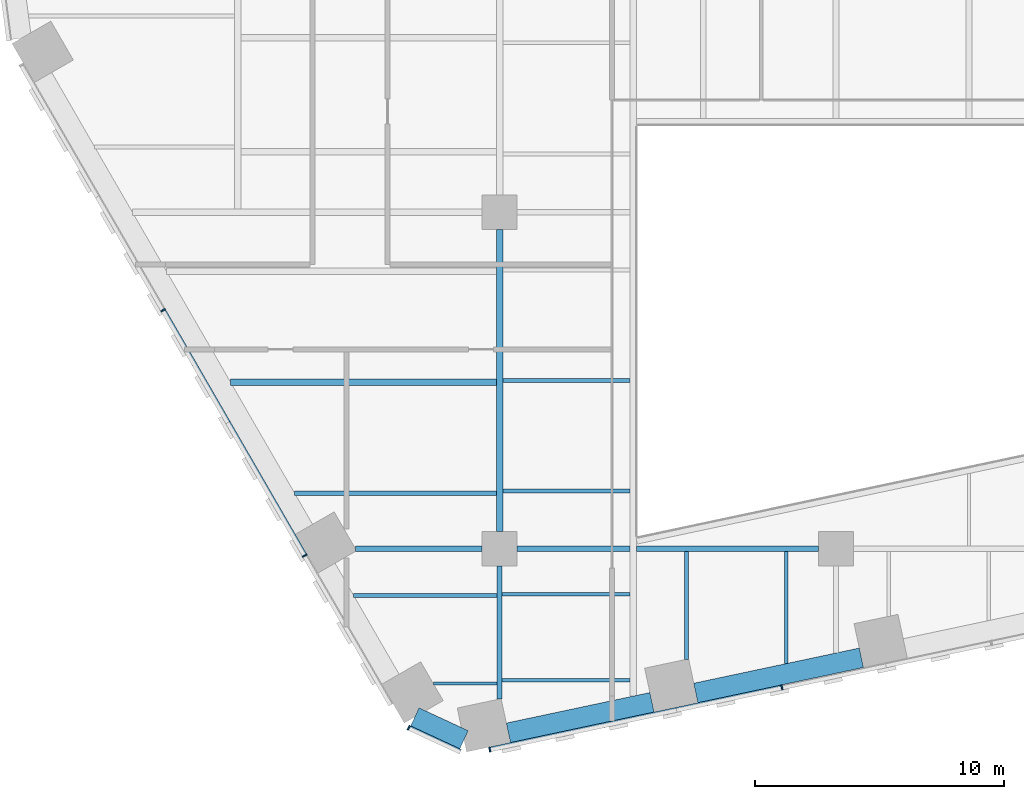
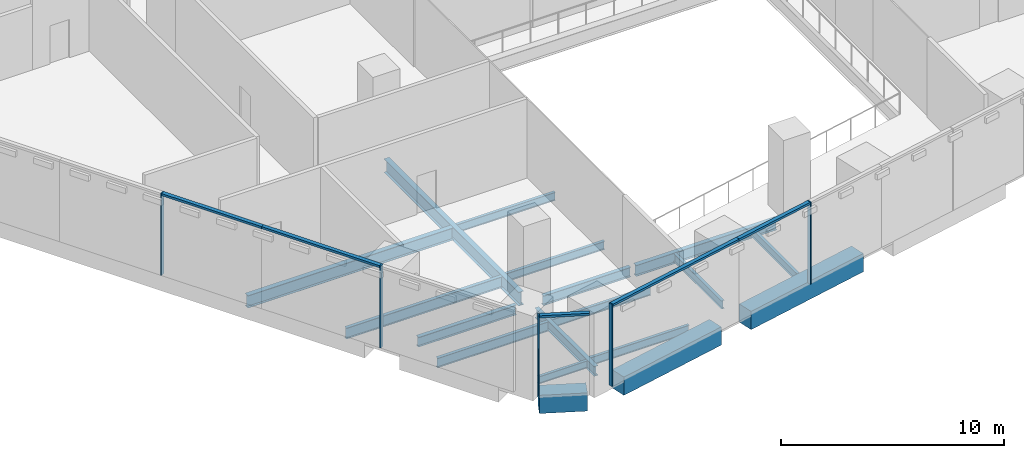
# One storey, part 2 of 19: 18 beams, 10 members, 3 elements without a shape of their own.
"""IFC4 building model written with IfcOpenShell, lengths in metres."""

from ifc_helpers import new_model, si_unit, direction, frame, origin, origin_2d, place, context, subcontext, project, spatial, rectangle, i_section, extrude, material, layer, layer_set, material_profile, profile_set, type_object, element, aggregate, save


model = new_model("IFC4")

# Units and contexts
model_context = context("Model", 3, precision=1e-05, world=origin(), true_north=direction((0.0, 1.0)))
body_context = subcontext(model_context, "Body", "Model", "MODEL_VIEW")
ifc_project = project(units=[si_unit("LENGTHUNIT", "METRE"), si_unit("AREAUNIT", "SQUARE_METRE"), si_unit("VOLUMEUNIT", "CUBIC_METRE"), si_unit("PLANEANGLEUNIT", "RADIAN"), si_unit("MASSUNIT", "GRAM", prefix="KILO")], contexts=[model_context])

# Site, building, storey
site_placement = place(None, origin())
site = spatial("IfcSite", under=ifc_project, at=site_placement, CompositionType="ELEMENT")
building_placement = place(site_placement, origin())
building = spatial("IfcBuilding", under=site, at=building_placement, Name="Isthmus Gate Tower", CompositionType="ELEMENT")
storey_placement = place(building_placement, frame((0.0, 0.0, 76.14990234375)))
storey = spatial("IfcBuildingStorey", under=building, at=storey_placement, Name="L17", CompositionType="ELEMENT", Elevation=76.14990234375)

# Curtain wall, members
ifc_material_1 = material(Name="Aluminium, pale champagne anodised", Category="aluminium")
ifc_layer = layer(ifc_material_1, 0.199951171875)
ifc_layer_set = layer_set([ifc_layer], Name="CW-2 LOUVRE CURTAIN WALL 200 DEEP")
curtain_wall_type = type_object("IfcCurtainWallType", Name="CW-2 LOUVRE CURTAIN WALL 200 DEEP", PredefinedType="NOTDEFINED", material=ifc_layer_set)
curtain_wall_1_placement = place(storey_placement, origin())
curtain_wall_1 = element("IfcCurtainWall", 1, at=curtain_wall_1_placement, inside=storey, type_object=curtain_wall_type, Name="CW-2 SW L17", PredefinedType="NOTDEFINED")
ifc_material_2 = material(Name="Aluminium, pale champagne anodised", Category="aluminium")
ifc_material_profile_1 = material_profile(ifc_material_2, rectangle(XDim=0.06005859375, YDim=0.199951171875, at=origin_2d()), Name="60x200")
ifc_profile_set_1 = profile_set([ifc_material_profile_1], Name="Aluminium, pale champagne anodised")
member_type_1 = type_object("IfcMemberType", Name="CW-2 MULLION 60 X 200", PredefinedType="MULLION", material=ifc_profile_set_1)
member_1_placement = place(storey_placement, frame((-27.001708984375, -17.431640625, 0.0), z_axis=(0.0, 0.0, 1.0), x_axis=(0.5, -0.866025403784, 0.0)))
member_1 = element("IfcMember", 2, at=member_1_placement, type_object=member_type_1, Name="CW-2 mullion", PredefinedType="MULLION", context=body_context, shape_type="SweptSolid", body=[
    extrude(rectangle(XDim=0.06005859375, YDim=0.199951171875, at=origin_2d()), origin(), (0.0, 0.0, 1.0), 4.5),
])
member_2_placement = place(storey_placement, frame((-21.318115234375, -27.27587890625, 0.0), z_axis=(0.0, 0.0, 1.0), x_axis=(0.5, -0.866025403784, 0.0)))
member_2 = element("IfcMember", 3, at=member_2_placement, type_object=member_type_1, Name="CW-2 mullion", PredefinedType="MULLION", context=body_context, shape_type="SweptSolid", body=[
    extrude(rectangle(XDim=0.06005859375, YDim=0.199951171875, at=origin_2d()), origin(), (0.0, 0.0, 1.0), 4.5),
])

# Curtain wall, member
curtain_wall_2_placement = place(storey_placement, origin())
curtain_wall_2 = element("IfcCurtainWall", 4, at=curtain_wall_2_placement, inside=storey, type_object=curtain_wall_type, Name="CW-2 SW-S L17", PredefinedType="NOTDEFINED")
member_3_placement = place(storey_placement, frame((-17.14794921875, -34.184814453125, 0.0), z_axis=(0.0, 0.0, 1.0), x_axis=(0.907256261367, -0.420578264073, 0.0)))
member_3 = element("IfcMember", 5, at=member_3_placement, type_object=member_type_1, Name="CW-2 mullion", PredefinedType="MULLION", context=body_context, shape_type="SweptSolid", body=[
    extrude(rectangle(XDim=0.06005859375, YDim=0.199951171875, at=origin_2d()), origin(), (0.0, 0.0, 1.0), 4.5),
])

# Curtain wall, members
curtain_wall_3_placement = place(storey_placement, origin())
curtain_wall_3 = element("IfcCurtainWall", 6, at=curtain_wall_3_placement, inside=storey, type_object=curtain_wall_type, Name="CW-2 S L17", PredefinedType="NOTDEFINED")
member_4_placement = place(storey_placement, frame((-13.89501953125, -35.0556640625, 0.0), z_axis=(0.0, 0.0, 1.0), x_axis=(0.978147600734, 0.207911690818, 0.0)))
member_4 = element("IfcMember", 7, at=member_4_placement, type_object=member_type_1, Name="CW-2 mullion", PredefinedType="MULLION", context=body_context, shape_type="SweptSolid", body=[
    extrude(rectangle(XDim=0.06005859375, YDim=0.199951171875, at=origin_2d()), origin(), (0.0, 0.0, 1.0), 4.5),
])
member_5_placement = place(storey_placement, frame((-2.1728515625, -32.564208984375, 0.0), z_axis=(0.0, 0.0, 1.0), x_axis=(0.978147600734, 0.207911690818, 0.0)))
member_5 = element("IfcMember", 8, at=member_5_placement, type_object=member_type_1, Name="CW-2 mullion", PredefinedType="MULLION", context=body_context, shape_type="SweptSolid", body=[
    extrude(rectangle(XDim=0.06005859375, YDim=0.199951171875, at=origin_2d()), origin(), (0.0, 0.0, 1.0), 4.5),
])

# Member
ifc_material_3 = material(Name="Aluminium, pale champagne anodised", Category="aluminium")
ifc_material_profile_2 = material_profile(ifc_material_3, rectangle(XDim=0.199951171875, YDim=0.1201171875, at=origin_2d()), Name="200x120")
ifc_profile_set_2 = profile_set([ifc_material_profile_2], Name="Aluminium, pale champagne anodised")
member_type_2 = type_object("IfcMemberType", Name="CW-2 TRANSOM 200 X 120", PredefinedType="USERDEFINED", material=ifc_profile_set_2)
member_6_placement = place(storey_placement, frame((-26.98681640625, -17.45751953125, 4.440185546875), z_axis=(0.49999612508, -0.866027640959, 0.0), x_axis=(0.866027640959, 0.49999612508, 0.0)))
member_6 = element("IfcMember", 9, at=member_6_placement, type_object=member_type_2, Name="CW-2 transom", ObjectType="TRANSOM", PredefinedType="USERDEFINED", context=body_context, shape_type="SweptSolid", body=[
    extrude(rectangle(XDim=0.199951171875, YDim=0.1201171875, at=origin_2d()), origin(), (0.0, 0.0, 1.0), 5.173828125),
])

member_7_placement = place(storey_placement, frame((-24.39990234375, -21.938232421875, 4.440185546875), z_axis=(0.500017618927, -0.866015231253, 0.0), x_axis=(0.866015231253, 0.500017618927, 0.0)))
member_7 = element("IfcMember", 10, at=member_7_placement, type_object=member_type_2, Name="CW-2 transom", ObjectType="TRANSOM", PredefinedType="USERDEFINED", context=body_context, shape_type="SweptSolid", body=[
    extrude(rectangle(XDim=0.199951171875, YDim=0.1201171875, at=origin_2d()), origin(), (0.0, 0.0, 1.0), 6.133544921875),
])

aggregate(curtain_wall_1, [member_1, member_6, member_7, member_2])

member_8_placement = place(storey_placement, frame((-17.120849609375, -34.197509765625, 4.440185546875), z_axis=(0.907246225564, -0.420599912268, 0.0), x_axis=(0.420599912268, 0.907246225564, 0.0)))
member_8 = element("IfcMember", 11, at=member_8_placement, type_object=member_type_2, Name="CW-2 transom", ObjectType="TRANSOM", PredefinedType="USERDEFINED", context=body_context, shape_type="SweptSolid", body=[
    extrude(rectangle(XDim=0.199951171875, YDim=0.1201171875, at=origin_2d()), origin(), (0.0, 0.0, 1.0), 2.258544921875),
])

aggregate(curtain_wall_2, [member_3, member_8])

member_9_placement = place(storey_placement, frame((-13.86572265625, -35.049560546875, 4.440185546875), z_axis=(0.978149009137, 0.20790506469, 0.0), x_axis=(-0.20790506469, 0.978149009137, 0.0)))
member_9 = element("IfcMember", 12, at=member_9_placement, type_object=member_type_2, Name="CW-2 transom", ObjectType="TRANSOM", PredefinedType="USERDEFINED", context=body_context, shape_type="SweptSolid", body=[
    extrude(rectangle(XDim=0.199951171875, YDim=0.1201171875, at=origin_2d()), origin(), (0.0, 0.0, 1.0), 7.62939453125),
])

member_10_placement = place(storey_placement, frame((-6.403076171875, -33.46337890625, 4.440185546875), z_axis=(0.97813890815, 0.207952582007, 0.0), x_axis=(-0.207952582007, 0.97813890815, 0.0)))
member_10 = element("IfcMember", 13, at=member_10_placement, type_object=member_type_2, Name="CW-2 transom", ObjectType="TRANSOM", PredefinedType="USERDEFINED", context=body_context, shape_type="SweptSolid", body=[
    extrude(rectangle(XDim=0.199951171875, YDim=0.1201171875, at=origin_2d()), origin(), (0.0, 0.0, 1.0), 4.294677734375),
])

aggregate(curtain_wall_3, [member_4, member_9, member_10, member_5])

# Beams
ifc_material_4 = material(Name="Concrete f'c 70 MPa", Category="concrete")
ifc_material_profile_3 = material_profile(ifc_material_4, rectangle(XDim=0.800048828125, YDim=1.0, at=origin_2d()), Name="RC 800X1000")
ifc_profile_set_3 = profile_set([ifc_material_profile_3], Name="Concrete f'c 70 MPa")
beam_type_1 = type_object("IfcBeamType", Name="RC SPANDREL 800 X 1000", PredefinedType="SPANDREL", material=ifc_profile_set_3)
beam_1_placement = place(storey_placement, frame((1.01416015625, -31.37548828125, -0.5), z_axis=(-0.978145779981, -0.207920256603, 0.0), x_axis=(0.207920256603, -0.978145779981, 0.0)))
element("IfcBeam", 14, at=beam_1_placement, inside=storey, type_object=beam_type_1, Name="str-spandrel-L17-12", PredefinedType="SPANDREL", context=body_context, shape_type="SweptSolid", body=[
    extrude(rectangle(XDim=0.800048828125, YDim=1.0, at=origin_2d()), origin(), (0.0, 0.0, 1.0), 6.789306640625),
])
beam_2_placement = place(storey_placement, frame((-7.387451171875, -33.161376953125, -0.5), z_axis=(-0.978149894464, -0.207900899374, 0.0), x_axis=(0.207900899374, -0.978149894464, 0.0)))
element("IfcBeam", 15, at=beam_2_placement, inside=storey, type_object=beam_type_1, Name="str-spandrel-L17-13", PredefinedType="SPANDREL", context=body_context, shape_type="SweptSolid", body=[
    extrude(rectangle(XDim=0.800048828125, YDim=1.0, at=origin_2d()), origin(), (0.0, 0.0, 1.0), 5.88916015625),
])
beam_3_placement = place(storey_placement, frame((-14.929443359375, -34.662109375, -0.5), z_axis=(-0.907290744498, 0.420503870314, 0.0), x_axis=(-0.420503870314, -0.907290744498, 0.0)))
element("IfcBeam", 16, at=beam_3_placement, inside=storey, type_object=beam_type_1, Name="str-spandrel-L17-14", PredefinedType="SPANDREL", context=body_context, shape_type="SweptSolid", body=[
    extrude(rectangle(XDim=0.800048828125, YDim=1.0, at=origin_2d()), origin(), (0.0, 0.0, 1.0), 2.173095703125),
])
ifc_material_5 = material(Name="Structural steel ASTM A992 Gr 50", Category="steel")
ifc_material_profile_4 = material_profile(ifc_material_5, i_section(OverallWidth=0.1396484375, OverallDepth=0.4033203125, WebThickness=0.00634765625, FlangeThickness=0.010986328125, at=origin_2d()), Name="W16X31")
ifc_profile_set_4 = profile_set([ifc_material_profile_4], Name="Structural steel ASTM A992 Gr 50")
beam_type_2 = type_object("IfcBeamType", Name="STEEL FLOOR BEAM W16X31", PredefinedType="JOIST", material=ifc_profile_set_4)
beam_4_placement = place(storey_placement, frame((-16.162353515625, -32.406005859375, -0.50146484375), z_axis=(1.0, 0.0, 0.0), x_axis=(0.0, 1.0, 0.0)))
element("IfcBeam", 17, at=beam_4_placement, inside=storey, type_object=beam_type_2, Name="str-beam-L17-09-00", PredefinedType="JOIST", context=body_context, shape_type="SweptSolid", body=[
    extrude(i_section(OverallWidth=0.1396484375, OverallDepth=0.4033203125, WebThickness=0.00634765625, FlangeThickness=0.010986328125, at=origin_2d()), origin(), (0.0, 0.0, 1.0), 2.5576171875),
])
ifc_material_6 = material(Name="Structural steel ASTM A992 Gr 50", Category="steel")
ifc_material_profile_5 = material_profile(ifc_material_6, i_section(OverallWidth=0.15234375, OverallDepth=0.45068359375, WebThickness=0.0078125, FlangeThickness=0.010986328125, at=origin_2d()), Name="W18X35")
ifc_profile_set_5 = profile_set([ifc_material_profile_5], Name="Structural steel ASTM A992 Gr 50")
beam_type_3 = type_object("IfcBeamType", Name="STEEL FLOOR BEAM W18X35", PredefinedType="JOIST", material=ifc_profile_set_5)
for number, where, z_axis, x_axis, name in (
    (18, (-13.395263671875, -32.27197265625, -0.525390625), (1.0, 0.0, 0.0), (0.0, 1.0, 0.0), "str-beam-L17-10-00"),
    (19, (-13.395263671875, -28.8271484375, -0.525390625), (1.0, 0.0, 0.0), (0.0, 1.0, 0.0), "str-beam-L17-10-01"),
):
    element("IfcBeam", number, at=place(storey_placement, frame(where, z_axis=z_axis, x_axis=x_axis)), inside=storey, type_object=beam_type_3, Name=name, PredefinedType="JOIST", context=body_context, shape_type="SweptSolid", body=[
        extrude(i_section(OverallWidth=0.15234375, OverallDepth=0.45068359375, WebThickness=0.0078125, FlangeThickness=0.010986328125, at=origin_2d()), origin(), (0.0, 0.0, 1.0), 5.128662109375),
    ])
for number, where, z_axis, x_axis, name in (
    (20, (-13.3681640625, -24.68017578125, -0.525390625), (1.0, 0.0, 0.0), (0.0, 1.0, 0.0), "str-beam-L17-12-00"),
    (21, (-13.3681640625, -20.25, -0.525390625), (1.0, 0.0, 0.0), (0.0, 1.0, 0.0), "str-beam-L17-12-01"),
):
    element("IfcBeam", number, at=place(storey_placement, frame(where, z_axis=z_axis, x_axis=x_axis)), inside=storey, type_object=beam_type_3, Name=name, PredefinedType="JOIST", context=body_context, shape_type="SweptSolid", body=[
        extrude(i_section(OverallWidth=0.15234375, OverallDepth=0.45068359375, WebThickness=0.0078125, FlangeThickness=0.010986328125, at=origin_2d()), origin(), (0.0, 0.0, 1.0), 5.1015625),
    ])
beam_5_placement = place(storey_placement, frame((-6.0, -31.43505859375, -0.525390625), z_axis=(0.0, 1.0, 0.0), x_axis=(-1.0, 0.0, 0.0)))
element("IfcBeam", 22, at=beam_5_placement, inside=storey, type_object=beam_type_3, Name="str-beam-L17-15-00", PredefinedType="JOIST", context=body_context, shape_type="SweptSolid", body=[
    extrude(i_section(OverallWidth=0.15234375, OverallDepth=0.45068359375, WebThickness=0.0078125, FlangeThickness=0.010986328125, at=origin_2d()), origin(), (0.0, 0.0, 1.0), 4.32080078125),
])
beam_6_placement = place(storey_placement, frame((-2.0, -31.607177734375, -0.525390625), z_axis=(0.0, 1.0, 0.0), x_axis=(-1.0, 0.0, 0.0)))
element("IfcBeam", 23, at=beam_6_placement, inside=storey, type_object=beam_type_3, Name="str-beam-L17-15-01", PredefinedType="JOIST", context=body_context, shape_type="SweptSolid", body=[
    extrude(i_section(OverallWidth=0.15234375, OverallDepth=0.45068359375, WebThickness=0.0078125, FlangeThickness=0.010986328125, at=origin_2d()), origin(), (0.0, 0.0, 1.0), 4.492919921875),
])
ifc_material_7 = material(Name="Structural steel ASTM A992 Gr 50", Category="steel")
ifc_material_profile_6 = material_profile(ifc_material_7, i_section(OverallWidth=0.1650390625, OverallDepth=0.52392578125, WebThickness=0.009521484375, FlangeThickness=0.010986328125, at=origin_2d()), Name="W21X44")
ifc_profile_set_6 = profile_set([ifc_material_profile_6], Name="Structural steel ASTM A992 Gr 50")
beam_type_4 = type_object("IfcBeamType", Name="STEEL FLOOR BEAM W21X44", PredefinedType="JOIST", material=ifc_profile_set_6)
beam_7_placement = place(storey_placement, frame((-19.357421875, -28.871826171875, -0.561767578125), z_axis=(1.0, 0.0, 0.0), x_axis=(0.0, 1.0, 0.0)))
element("IfcBeam", 24, at=beam_7_placement, inside=storey, type_object=beam_type_4, Name="str-beam-L17-09-01", PredefinedType="JOIST", context=body_context, shape_type="SweptSolid", body=[
    extrude(i_section(OverallWidth=0.1650390625, OverallDepth=0.52392578125, WebThickness=0.009521484375, FlangeThickness=0.010986328125, at=origin_2d()), origin(), (0.0, 0.0, 1.0), 5.752685546875),
])
ifc_material_8 = material(Name="Structural steel ASTM A992 Gr 50", Category="steel")
ifc_material_profile_7 = material_profile(ifc_material_8, i_section(OverallWidth=0.177734375, OverallDepth=0.60009765625, WebThickness=0.009521484375, FlangeThickness=0.0126953125, at=origin_2d()), Name="W24X55")
ifc_profile_set_7 = profile_set([ifc_material_profile_7], Name="Structural steel ASTM A992 Gr 50")
beam_type_5 = type_object("IfcBeamType", Name="STEEL FLOOR BEAM W24X55", PredefinedType="JOIST", material=ifc_profile_set_7)
beam_8_placement = place(storey_placement, frame((-21.724365234375, -24.772216796875, -0.599853515625), z_axis=(1.0, 0.0, 0.0), x_axis=(0.0, 1.0, 0.0)))
element("IfcBeam", 25, at=beam_8_placement, inside=storey, type_object=beam_type_5, Name="str-beam-L17-05-00", PredefinedType="JOIST", context=body_context, shape_type="SweptSolid", body=[
    extrude(i_section(OverallWidth=0.177734375, OverallDepth=0.60009765625, WebThickness=0.009521484375, FlangeThickness=0.0126953125, at=origin_2d()), origin(), (0.0, 0.0, 1.0), 8.092529296875),
])
ifc_material_9 = material(Name="Structural steel ASTM A992 Gr 50", Category="steel")
ifc_material_profile_8 = material_profile(ifc_material_9, i_section(OverallWidth=0.25390625, OverallDepth=0.679443359375, WebThickness=0.010986328125, FlangeThickness=0.015869140625, at=origin_2d()), Name="W27X84")
ifc_profile_set_8 = profile_set([ifc_material_profile_8], Name="Structural steel ASTM A992 Gr 50")
beam_type_6 = type_object("IfcBeamType", Name="STEEL FLOOR BEAM W27X84", PredefinedType="JOIST", material=ifc_profile_set_8)
beam_9_placement = place(storey_placement, frame((-24.296875, -20.316650390625, -0.6396484375), z_axis=(1.0, 0.0, 0.0), x_axis=(0.0, 1.0, 0.0)))
element("IfcBeam", 26, at=beam_9_placement, inside=storey, type_object=beam_type_6, Name="str-beam-L17-05-01", PredefinedType="JOIST", context=body_context, shape_type="SweptSolid", body=[
    extrude(i_section(OverallWidth=0.25390625, OverallDepth=0.679443359375, WebThickness=0.010986328125, FlangeThickness=0.015869140625, at=origin_2d()), origin(), (0.0, 0.0, 1.0), 10.6650390625),
])
ifc_material_10 = material(Name="Structural steel ASTM A992 Gr 50", Category="steel")
ifc_material_profile_9 = material_profile(ifc_material_10, i_section(OverallWidth=0.20947265625, OverallDepth=0.533447265625, WebThickness=0.009521484375, FlangeThickness=0.015869140625, at=origin_2d()), Name="W21X62")
ifc_profile_set_9 = profile_set([ifc_material_profile_9], Name="Structural steel ASTM A992 Gr 50")
beam_type_7 = type_object("IfcBeamType", Name="STEEL GIRDER W21X62", PredefinedType="BEAM", material=ifc_profile_set_9)
beam_10_placement = place(storey_placement, frame((-19.283447265625, -27.0, -0.566650390625), z_axis=(1.0, 0.0, 0.0), x_axis=(0.0, 1.0, 0.0)))
element("IfcBeam", 27, at=beam_10_placement, inside=storey, type_object=beam_type_7, Name="str-girder-L17-01", PredefinedType="BEAM", context=body_context, shape_type="SweptSolid", body=[
    extrude(i_section(OverallWidth=0.20947265625, OverallDepth=0.533447265625, WebThickness=0.009521484375, FlangeThickness=0.015869140625, at=origin_2d()), origin(), (0.0, 0.0, 1.0), 5.08349609375),
])
beam_11_placement = place(storey_placement, frame((-12.800048828125, -27.0, -0.566650390625), z_axis=(1.0, 0.0, 0.0), x_axis=(0.0, 1.0, 0.0)))
element("IfcBeam", 28, at=beam_11_placement, inside=storey, type_object=beam_type_7, Name="str-girder-L17-02", PredefinedType="BEAM", context=body_context, shape_type="SweptSolid", body=[
    extrude(i_section(OverallWidth=0.20947265625, OverallDepth=0.533447265625, WebThickness=0.009521484375, FlangeThickness=0.015869140625, at=origin_2d()), origin(), (0.0, 0.0, 1.0), 4.533447265625),
])
beam_12_placement = place(storey_placement, frame((-13.5, -33.029296875, -0.566650390625), z_axis=(0.0, 1.0, 0.0), x_axis=(-1.0, 0.0, 0.0)))
element("IfcBeam", 29, at=beam_12_placement, inside=storey, type_object=beam_type_7, Name="str-girder-L17-23", PredefinedType="BEAM", context=body_context, shape_type="SweptSolid", body=[
    extrude(i_section(OverallWidth=0.20947265625, OverallDepth=0.533447265625, WebThickness=0.009521484375, FlangeThickness=0.015869140625, at=origin_2d()), origin(), (0.0, 0.0, 1.0), 5.329345703125),
])
ifc_material_11 = material(Name="Structural steel ASTM A992 Gr 50", Category="steel")
ifc_material_profile_10 = material_profile(ifc_material_11, i_section(OverallWidth=0.228515625, OverallDepth=0.603271484375, WebThickness=0.010986328125, FlangeThickness=0.014404296875, at=origin_2d()), Name="W24X68")
ifc_profile_set_10 = profile_set([ifc_material_profile_10], Name="Structural steel ASTM A992 Gr 50")
beam_type_8 = type_object("IfcBeamType", Name="STEEL GIRDER W24X68", PredefinedType="BEAM", material=ifc_profile_set_10)
beam_13_placement = place(storey_placement, frame((-8.0, -27.0, -0.6015625), z_axis=(1.0, 0.0, 0.0), x_axis=(0.0, 1.0, 0.0)))
element("IfcBeam", 30, at=beam_13_placement, inside=storey, type_object=beam_type_8, Name="str-girder-L17-03", PredefinedType="BEAM", context=body_context, shape_type="SweptSolid", body=[
    extrude(i_section(OverallWidth=0.228515625, OverallDepth=0.603271484375, WebThickness=0.010986328125, FlangeThickness=0.014404296875, at=origin_2d()), origin(), (0.0, 0.0, 1.0), 7.300048828125),
])
ifc_material_12 = material(Name="Structural steel ASTM A992 Gr 50", Category="steel")
ifc_material_profile_11 = material_profile(ifc_material_12, i_section(OverallWidth=0.263427734375, OverallDepth=0.749267578125, WebThickness=0.0126953125, FlangeThickness=0.015869140625, at=origin_2d()), Name="W30X90")
ifc_profile_set_11 = profile_set([ifc_material_profile_11], Name="Structural steel ASTM A992 Gr 50")
beam_type_9 = type_object("IfcBeamType", Name="STEEL GIRDER W30X90", PredefinedType="BEAM", material=ifc_profile_set_11)
beam_14_placement = place(storey_placement, frame((-13.5, -26.300048828125, -0.674560546875), z_axis=(0.0, 1.0, 0.0), x_axis=(-1.0, 0.0, 0.0)))
element("IfcBeam", 31, at=beam_14_placement, inside=storey, type_object=beam_type_9, Name="str-girder-L17-24", PredefinedType="BEAM", context=body_context, shape_type="SweptSolid", body=[
    extrude(i_section(OverallWidth=0.263427734375, OverallDepth=0.749267578125, WebThickness=0.0126953125, FlangeThickness=0.015869140625, at=origin_2d()), origin(), (0.0, 0.0, 1.0), 12.10009765625),
])

save(model, "model.ifc")
